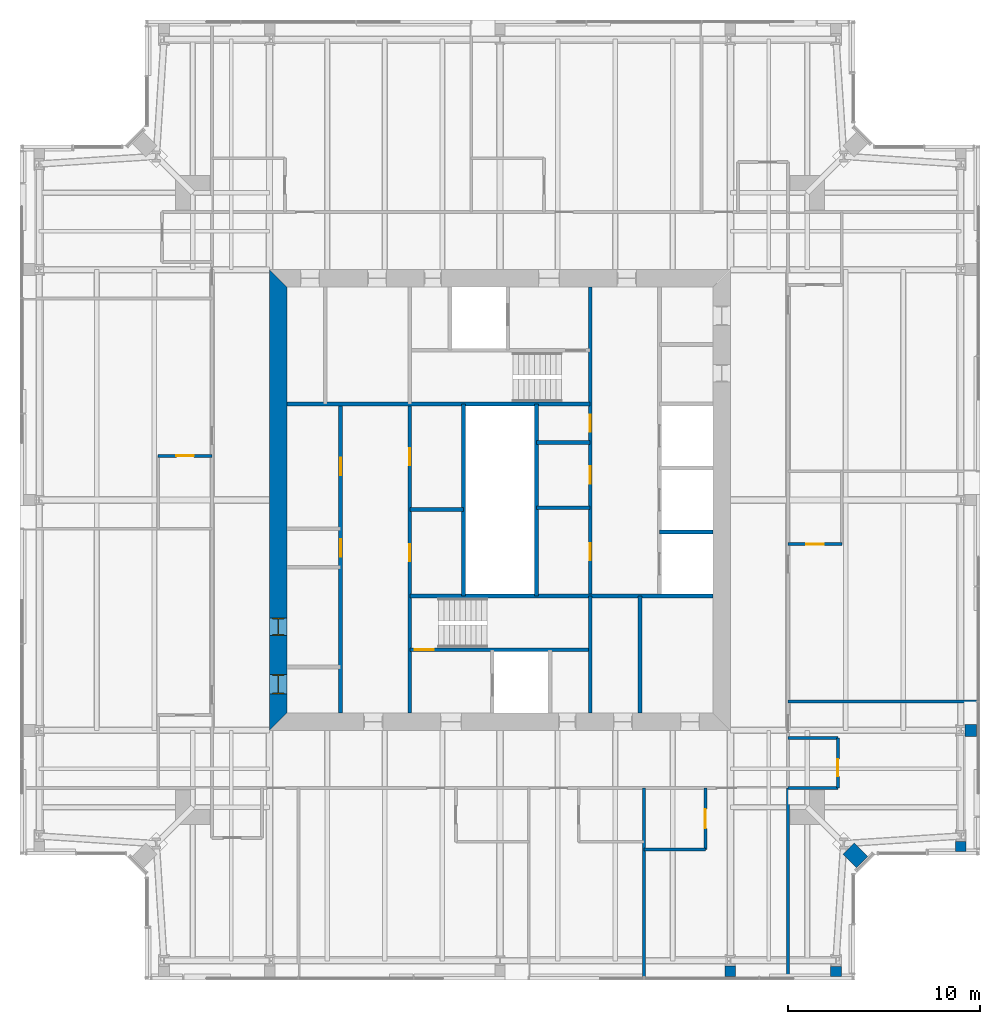
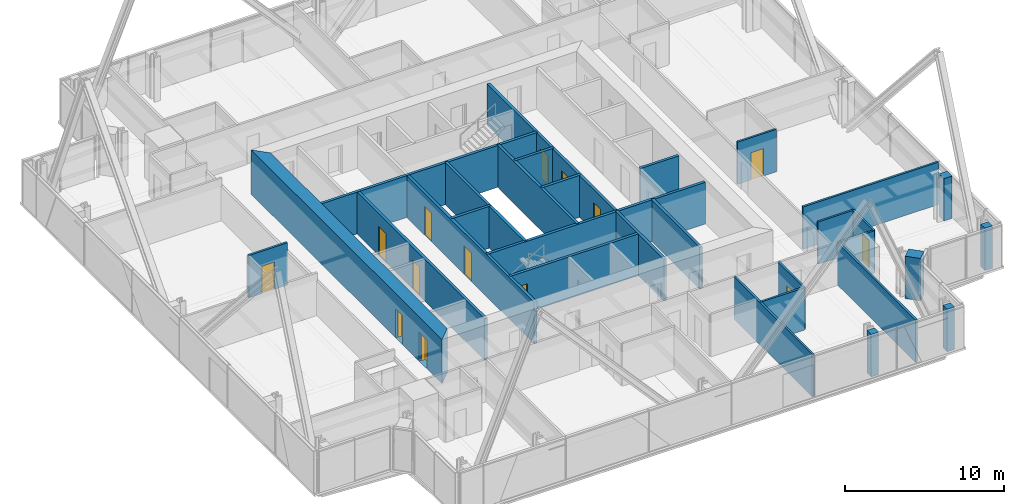
# One storey, part 12 of 19: 30 walls, 14 doors, 14 openings.
"""IFC4 building model written with IfcOpenShell, lengths in metres."""

from ifc_helpers import new_model, si_unit, direction, frame, frame_2d, origin, place, context, subcontext, project, spatial, polyline, rectangle, outline, extrude, material, layer, layer_set, type_object, element, fill, save


model = new_model("IFC4")

# Units and contexts
model_context = context("Model", 3, precision=1e-05, world=origin(), true_north=direction((0.0, 1.0)))
body_context = subcontext(model_context, "Body", "Model", "MODEL_VIEW")
ifc_project = project(units=[si_unit("LENGTHUNIT", "METRE"), si_unit("AREAUNIT", "SQUARE_METRE"), si_unit("VOLUMEUNIT", "CUBIC_METRE"), si_unit("PLANEANGLEUNIT", "RADIAN"), si_unit("MASSUNIT", "GRAM", prefix="KILO")], contexts=[model_context])

# Site, building, storey
site_placement = place(None, origin())
site = spatial("IfcSite", under=ifc_project, at=site_placement, CompositionType="ELEMENT")
building_placement = place(site_placement, origin())
building = spatial("IfcBuilding", under=site, at=building_placement, Name="Fenwick Lantern Interchange", CompositionType="ELEMENT")
storey_placement = place(building_placement, frame((0.0, 0.0, 283.199951171875)))
storey = spatial("IfcBuildingStorey", under=building, at=storey_placement, Name="L68", CompositionType="ELEMENT", Elevation=283.199951171875)

# Walls
ifc_material_1 = material(Name="Fire-rated gypsum board encasement on steel studs, 2 hour", Category="steel")
ifc_layer_1 = layer(ifc_material_1, 0.5419921875)
ifc_layer_set_1 = layer_set([ifc_layer_1], Name="COLUMN PIER 542")
wall_type_1 = type_object("IfcWallType", Name="COLUMN PIER 542", PredefinedType="PARTITIONING", material=ifc_layer_set_1)
wall_1_placement = place(storey_placement, frame((37.0, 0.18994140625, 0.0), z_axis=(0.0, 0.0, 1.0), x_axis=(0.0, 1.0, 0.0)))
element("IfcWall", 1, at=wall_1_placement, inside=storey, type_object=wall_type_1, Name="L68/W/PIER/CS4", PredefinedType="PARTITIONING", context=body_context, shape_type="SweptSolid", body=[
    extrude(rectangle(XDim=0.544677734375, YDim=0.5419921875, at=frame_2d((0.2724609375, 0.0))), origin(), (0.0, 0.0, 1.0), 3.25),
])
ifc_layer_2 = layer(ifc_material_1, 0.554931640625)
ifc_layer_set_2 = layer_set([ifc_layer_2], Name="COLUMN PIER 555")
wall_type_2 = type_object("IfcWallType", Name="COLUMN PIER 555", PredefinedType="PARTITIONING", material=ifc_layer_set_2)
for number, where, z_axis, x_axis, name in (
    (2, (42.5, 0.18994140625, 0.0), (0.0, 0.0, 1.0), (0.0, 1.0, 0.0), "L68/W/PIER/CS5"),
    (3, (49.0, 6.68994140625, 0.0), (0.0, 0.0, 1.0), (0.0, 1.0, 0.0), "L68/W/PIER/CE1"),
):
    element("IfcWall", number, at=place(storey_placement, frame(where, z_axis=z_axis, x_axis=x_axis)), inside=storey, type_object=wall_type_2, Name=name, PredefinedType="PARTITIONING", context=body_context, shape_type="SweptSolid", body=[
        extrude(rectangle(XDim=0.525634765625, YDim=0.554931640625, at=frame_2d((0.2626953125, 0.0))), origin(), (0.0, 0.0, 1.0), 3.25),
    ])
ifc_layer_3 = layer(ifc_material_1, 0.631103515625)
ifc_layer_set_3 = layer_set([ifc_layer_3], Name="COLUMN PIER 631")
wall_type_3 = type_object("IfcWallType", Name="COLUMN PIER 631", PredefinedType="PARTITIONING", material=ifc_layer_set_3)
wall_2_placement = place(storey_placement, frame((49.81005859375, 13.0, 0.0), z_axis=(0.0, 0.0, 1.0), x_axis=(-1.0, 0.0, 0.0)))
element("IfcWall", 4, at=wall_2_placement, inside=storey, type_object=wall_type_3, Name="L68/W/PIER/CE2", PredefinedType="PARTITIONING", context=body_context, shape_type="SweptSolid", body=[
    extrude(rectangle(XDim=0.589111328125, YDim=0.631103515625, at=frame_2d((0.29443359375, 0.0))), origin(), (0.0, 0.0, 1.0), 3.25),
])
ifc_layer_4 = layer(ifc_material_1, 0.823974609375)
ifc_layer_set_4 = layer_set([ifc_layer_4], Name="COLUMN PIER 824")
wall_type_4 = type_object("IfcWallType", Name="COLUMN PIER 824", PredefinedType="PARTITIONING", material=ifc_layer_set_4)
wall_3_placement = place(storey_placement, frame((43.86572265625, 6.13427734375, 0.0), z_axis=(0.0, 0.0, 1.0), x_axis=(-0.707106781187, 0.707106781187, 0.0)))
element("IfcWall", 5, at=wall_3_placement, inside=storey, type_object=wall_type_4, Name="L68/W/PIER/CSR", PredefinedType="PARTITIONING", context=body_context, shape_type="SweptSolid", body=[
    extrude(rectangle(XDim=1.003662109375, YDim=0.823974609375, at=frame_2d((0.501953125, 0.0))), origin(), (0.0, 0.0, 1.0), 3.25),
])

# Wall, openings, doors
ifc_material_2 = material(Name="Concrete masonry ASTM C90 Grade N", Category="masonry")
ifc_layer_5 = layer(ifc_material_2, 0.199951171875)
ifc_layer_set_5 = layer_set([ifc_layer_5], Name="Concrete masonry ASTM C90 Grade N")
wall_type_5 = type_object("IfcWallType", Name="CORE PARTITION 200", PredefinedType="PARTITIONING", material=ifc_layer_set_5)
wall_4_placement = place(storey_placement, frame((16.699951171875, 13.89990234375, 0.0), z_axis=(0.0, 0.0, 1.0), x_axis=(0.0, 1.0, 0.0)))
wall_4 = element("IfcWall", 6, at=wall_4_placement, inside=storey, type_object=wall_type_5, Name="L68/W/CORES/a", PredefinedType="PARTITIONING", context=body_context, shape_type="SweptSolid", body=[
    extrude(rectangle(XDim=16.10009765625, YDim=0.199951171875, at=frame_2d((8.050048828125, 0.0))), origin(), (0.0, 0.0, 1.0), 3.199951171875),
])
opening_1_placement = place(wall_4_placement, frame((8.14990234375, 0.0, 0.0)))
opening_1 = element("IfcOpeningElement", 7, at=opening_1_placement, cuts=wall_4, Name="Opening L68-D009", PredefinedType="OPENING", context=body_context, shape_type="SweptSolid", body=[
    extrude(rectangle(XDim=0.89990234375, YDim=2.199951171875, at=frame_2d((0.449951171875, 1.10009765625))), frame((0.0, 0.10986328125, 0.0), z_axis=(0.0, -1.0, 0.0), x_axis=(1.0, 0.0, 0.0)), (0.0, 0.0, 1.0), 0.219970703125),
])
opening_2_placement = place(wall_4_placement, frame((12.39990234375, 0.0, 0.0)))
opening_2 = element("IfcOpeningElement", 8, at=opening_2_placement, cuts=wall_4, Name="Opening L68-D010", PredefinedType="OPENING", context=body_context, shape_type="SweptSolid", body=[
    extrude(rectangle(XDim=0.89990234375, YDim=2.199951171875, at=frame_2d((0.449951171875, 1.10009765625))), frame((0.0, 0.10986328125, 0.0), z_axis=(0.0, -1.0, 0.0), x_axis=(1.0, 0.0, 0.0)), (0.0, 0.0, 1.0), 0.219970703125),
])
ifc_material_3 = material(Name="Steel door and frame", Category="steel")
door_type_1 = type_object("IfcDoorType", Name="SERVICE DOOR 900 X 2200", OperationType="SINGLE_SWING_LEFT", PredefinedType="DOOR", material=ifc_material_3)
door_1_placement = place(opening_1_placement, origin())
door_1 = element("IfcDoor", 9, at=door_1_placement, inside=storey, type_object=door_type_1, Name="Service door", OperationType="SINGLE_SWING_LEFT", OverallHeight=2.199951171875, OverallWidth=0.89990234375, PredefinedType="DOOR", context=body_context, shape_type="SweptSolid", body=[
    extrude(rectangle(XDim=0.89990234375, YDim=2.199951171875, at=frame_2d((0.449951171875, 1.10009765625))), frame((0.0, 0.02490234375, 0.0), z_axis=(0.0, -1.0, 0.0), x_axis=(1.0, 0.0, 0.0)), (0.0, 0.0, 1.0), 0.050048828125),
])
fill(opening_1, door_1)
door_2_placement = place(opening_2_placement, origin())
door_2 = element("IfcDoor", 10, at=door_2_placement, inside=storey, type_object=door_type_1, Name="Service door", OperationType="SINGLE_SWING_LEFT", OverallHeight=2.199951171875, OverallWidth=0.89990234375, PredefinedType="DOOR", context=body_context, shape_type="SweptSolid", body=[
    extrude(rectangle(XDim=0.89990234375, YDim=2.199951171875, at=frame_2d((0.449951171875, 1.10009765625))), frame((0.0, 0.02490234375, 0.0), z_axis=(0.0, -1.0, 0.0), x_axis=(1.0, 0.0, 0.0)), (0.0, 0.0, 1.0), 0.050048828125),
])
fill(opening_2, door_2)

# Walls
wall_5_placement = place(storey_placement, frame((23.10009765625, 20.0, 0.0), z_axis=(0.0, 0.0, 1.0), x_axis=(0.0, 1.0, 0.0)))
element("IfcWall", 11, at=wall_5_placement, inside=storey, type_object=wall_type_5, Name="L68/W/CORES/e3", PredefinedType="PARTITIONING", context=body_context, shape_type="SweptSolid", body=[
    extrude(rectangle(XDim=10.0, YDim=0.199951171875, at=frame_2d((5.0, 0.0))), origin(), (0.0, 0.0, 1.0), 3.199951171875),
])
wall_6_placement = place(storey_placement, frame((32.300048828125, 13.89990234375, 0.0), z_axis=(0.0, 0.0, 1.0), x_axis=(0.0, 1.0, 0.0)))
element("IfcWall", 12, at=wall_6_placement, inside=storey, type_object=wall_type_5, Name="L68/W/CORES/i2", PredefinedType="PARTITIONING", context=body_context, shape_type="SweptSolid", body=[
    extrude(rectangle(XDim=6.10009765625, YDim=0.199951171875, at=frame_2d((3.050048828125, 0.0))), origin(), (0.0, 0.0, 1.0), 3.199951171875),
])
for number, where, z_axis, x_axis, name in (
    (13, (20.300048828125, 24.5, 0.0), (0.0, 0.0, 1.0), (1.0, 0.0, 0.0), "L68/W/CORES/q1"),
    (14, (36.10009765625, 23.333251953125, 0.0), (0.0, 0.0, 1.0), (-1.0, 0.0, 0.0), "L68/W/COREN/d2"),
):
    element("IfcWall", number, at=place(storey_placement, frame(where, z_axis=z_axis, x_axis=x_axis)), inside=storey, type_object=wall_type_5, Name=name, PredefinedType="PARTITIONING", context=body_context, shape_type="SweptSolid", body=[
        extrude(rectangle(XDim=2.800048828125, YDim=0.199951171875, at=frame_2d((1.39990234375, 0.0))), origin(), (0.0, 0.0, 1.0), 3.199951171875),
    ])
wall_7_placement = place(storey_placement, frame((26.89990234375, 30.0, 0.0), z_axis=(0.0, 0.0, 1.0), x_axis=(0.0, -1.0, 0.0)))
element("IfcWall", 15, at=wall_7_placement, inside=storey, type_object=wall_type_5, Name="L68/W/COREN/e3", PredefinedType="PARTITIONING", context=body_context, shape_type="SweptSolid", body=[
    extrude(rectangle(XDim=10.0, YDim=0.199951171875, at=frame_2d((5.0, 0.0))), origin(), (0.0, 0.0, 1.0), 3.199951171875),
])
for number, where, z_axis, x_axis, name in (
    (16, (29.699951171875, 28.0, 0.0), (0.0, 0.0, 1.0), (-1.0, 0.0, 0.0), "L68/W/COREN/q1"),
    (17, (29.699951171875, 24.60009765625, 0.0), (0.0, 0.0, 1.0), (-1.0, 0.0, 0.0), "L68/W/COREN/q2"),
):
    element("IfcWall", number, at=place(storey_placement, frame(where, z_axis=z_axis, x_axis=x_axis)), inside=storey, type_object=wall_type_5, Name=name, PredefinedType="PARTITIONING", context=body_context, shape_type="SweptSolid", body=[
        extrude(rectangle(XDim=2.800048828125, YDim=0.199951171875, at=frame_2d((1.39990234375, 0.0))), origin(), (0.0, 0.0, 1.0), 3.199951171875),
    ])

# Wall, openings, doors
ifc_material_4 = material(Name="Concrete f'c 70 MPa", Category="concrete")
ifc_layer_6 = layer(ifc_material_4, 0.89990234375)
ifc_layer_set_6 = layer_set([ifc_layer_6], Name="CORE WALL 900")
wall_type_6 = type_object("IfcWallType", Name="CORE WALL 900", PredefinedType="SHEAR", material=ifc_layer_set_6)
wall_8_placement = place(storey_placement, frame((13.449951171875, 36.10009765625, 0.0), z_axis=(0.0, 0.0, 1.0), x_axis=(0.0, -1.0, 0.0)))
wall_8 = element("IfcWall", 18, at=wall_8_placement, inside=storey, type_object=wall_type_6, Name="L68/CORE/W", PredefinedType="SHEAR", context=body_context, shape_type="SweptSolid", body=[
    extrude(outline(polyline([(-0.89990234375, -0.449951171875), (23.10009765625, -0.449951171875), (22.199951171875, 0.449951171875), (0.0, 0.449951171875), (-0.89990234375, -0.449951171875)])), origin(), (0.0, 0.0, 1.0), 3.400146484375),
])
opening_3_placement = place(wall_8_placement, frame((20.199951171875, 0.0, 0.0)))
opening_3 = element("IfcOpeningElement", 19, at=opening_3_placement, cuts=wall_8, Name="Opening L68-D007", PredefinedType="OPENING", context=body_context, shape_type="SweptSolid", body=[
    extrude(rectangle(XDim=1.0, YDim=2.199951171875, at=frame_2d((0.5, 1.10009765625))), frame((0.0, 0.4599609375, 0.0), z_axis=(0.0, -1.0, 0.0), x_axis=(1.0, 0.0, 0.0)), (0.0, 0.0, 1.0), 0.919921875),
])
opening_4_placement = place(wall_8_placement, frame((17.25, 0.0, 0.0)))
opening_4 = element("IfcOpeningElement", 20, at=opening_4_placement, cuts=wall_8, Name="Opening L68-D008", PredefinedType="OPENING", context=body_context, shape_type="SweptSolid", body=[
    extrude(rectangle(XDim=0.89990234375, YDim=2.199951171875, at=frame_2d((0.449951171875, 1.10009765625))), frame((0.0, 0.4599609375, 0.0), z_axis=(0.0, -1.0, 0.0), x_axis=(1.0, 0.0, 0.0)), (0.0, 0.0, 1.0), 0.919921875),
])
door_3_placement = place(opening_4_placement, origin())
door_3 = element("IfcDoor", 21, at=door_3_placement, inside=storey, type_object=door_type_1, Name="Service door", OperationType="SINGLE_SWING_RIGHT", OverallHeight=2.199951171875, OverallWidth=0.89990234375, PredefinedType="DOOR", context=body_context, shape_type="SweptSolid", body=[
    extrude(rectangle(XDim=0.89990234375, YDim=2.199951171875, at=frame_2d((0.449951171875, 1.10009765625))), frame((0.0, 0.02490234375, 0.0), z_axis=(0.0, -1.0, 0.0), x_axis=(1.0, 0.0, 0.0)), (0.0, 0.0, 1.0), 0.050048828125),
    extrude(outline(polyline([(0.0, 0.0), (0.0400390625, 0.0), (0.0400390625, 2.159912109375), (0.85986328125, 2.159912109375), (0.85986328125, 0.0), (0.89990234375, 0.0), (0.89990234375, 2.199951171875), (0.0, 2.199951171875), (0.0, 0.0)])), frame((0.0, 0.300048828125, 0.0), z_axis=(0.0, -1.0, 0.0), x_axis=(1.0, 0.0, 0.0)), (0.0, 0.0, 1.0), 0.60009765625),
])
fill(opening_4, door_3)
ifc_material_5 = material(Name="Hardwood door and steel frame", Category="steel")
door_type_2 = type_object("IfcDoorType", Name="WC DOOR 1000 X 2200", OperationType="SINGLE_SWING_LEFT", PredefinedType="DOOR", material=ifc_material_5)
door_4_placement = place(opening_3_placement, origin())
door_4 = element("IfcDoor", 22, at=door_4_placement, inside=storey, type_object=door_type_2, Name="Wc door", OperationType="SINGLE_SWING_LEFT", OverallHeight=2.199951171875, OverallWidth=1.0, PredefinedType="DOOR", context=body_context, shape_type="SweptSolid", body=[
    extrude(rectangle(XDim=1.0, YDim=2.199951171875, at=frame_2d((0.5, 1.10009765625))), frame((0.0, 0.02490234375, 0.0), z_axis=(0.0, -1.0, 0.0), x_axis=(1.0, 0.0, 0.0)), (0.0, 0.0, 1.0), 0.050048828125),
    extrude(outline(polyline([(0.0, 0.0), (0.0400390625, 0.0), (0.0400390625, 2.159912109375), (0.9599609375, 2.159912109375), (0.9599609375, 0.0), (1.0, 0.0), (1.0, 2.199951171875), (0.0, 2.199951171875), (0.0, 0.0)])), frame((0.0, 0.300048828125, 0.0), z_axis=(0.0, -1.0, 0.0), x_axis=(1.0, 0.0, 0.0)), (0.0, 0.0, 1.0), 0.60009765625),
])
fill(opening_3, door_4)

# Wall
ifc_material_6 = material(Name="Gypsum board on steel studs, moisture resistant", Category="steel")
ifc_layer_7 = layer(ifc_material_6, 0.14990234375)
ifc_layer_set_7 = layer_set([ifc_layer_7], Name="EN-SUITE WALL 150")
wall_type_7 = type_object("IfcWallType", Name="EN-SUITE WALL 150", PredefinedType="PARTITIONING", material=ifc_layer_set_7)
wall_9_placement = place(storey_placement, frame((32.5, 6.800048828125, 0.0), z_axis=(0.0, 0.0, 1.0), x_axis=(1.0, 0.0, 0.0)))
element("IfcWall", 23, at=wall_9_placement, inside=storey, type_object=wall_type_7, Name="L68/W/HOTEL/S/U4BW", PredefinedType="PARTITIONING", context=body_context, shape_type="SweptSolid", body=[
    extrude(rectangle(XDim=3.199951171875, YDim=0.14990234375, at=frame_2d((1.60009765625, 0.0))), origin(), (0.0, 0.0, 1.0), 3.25),
])

# Wall, opening, door
wall_10_placement = place(storey_placement, frame((35.699951171875, 6.800048828125, 0.0), z_axis=(0.0, 0.0, 1.0), x_axis=(0.0, 1.0, 0.0)))
wall_10 = element("IfcWall", 24, at=wall_10_placement, inside=storey, type_object=wall_type_7, Name="L68/W/HOTEL/S/U4BX", PredefinedType="PARTITIONING", context=body_context, shape_type="SweptSolid", body=[
    extrude(rectangle(XDim=3.199951171875, YDim=0.14990234375, at=frame_2d((1.60009765625, 0.0))), origin(), (0.0, 0.0, 1.0), 3.25),
])
opening_5_placement = place(wall_10_placement, frame((1.10009765625, 0.0, 0.0)))
opening_5 = element("IfcOpeningElement", 25, at=opening_5_placement, cuts=wall_10, Name="Opening L68-D030", PredefinedType="OPENING", context=body_context, shape_type="SweptSolid", body=[
    extrude(rectangle(XDim=1.0, YDim=2.10009765625, at=frame_2d((0.5, 1.050048828125))), frame((0.0, 0.0849609375, 0.0), z_axis=(0.0, -1.0, 0.0), x_axis=(1.0, 0.0, 0.0)), (0.0, 0.0, 1.0), 0.169921875),
])
door_type_3 = type_object("IfcDoorType", Name="EN-SUITE DOOR 1000 X 2100", OperationType="SINGLE_SWING_LEFT", PredefinedType="DOOR", material=ifc_material_5)
door_5_placement = place(opening_5_placement, origin())
door_5 = element("IfcDoor", 26, at=door_5_placement, inside=storey, type_object=door_type_3, Name="En-suite door", OperationType="SINGLE_SWING_LEFT", OverallHeight=2.10009765625, OverallWidth=1.0, PredefinedType="DOOR", context=body_context, shape_type="SweptSolid", body=[
    extrude(rectangle(XDim=1.0, YDim=2.10009765625, at=frame_2d((0.5, 1.050048828125))), frame((0.0, 0.02490234375, 0.0), z_axis=(0.0, -1.0, 0.0), x_axis=(1.0, 0.0, 0.0)), (0.0, 0.0, 1.0), 0.050048828125),
])
fill(opening_5, door_5)

wall_11_placement = place(storey_placement, frame((42.60009765625, 10.0, 0.0), z_axis=(0.0, 0.0, 1.0), x_axis=(0.0, 1.0, 0.0)))
wall_11 = element("IfcWall", 27, at=wall_11_placement, inside=storey, type_object=wall_type_7, Name="L68/W/HOTEL/E/U1BW", PredefinedType="PARTITIONING", context=body_context, shape_type="SweptSolid", body=[
    extrude(rectangle(XDim=2.60009765625, YDim=0.14990234375, at=frame_2d((1.300048828125, 0.0))), origin(), (0.0, 0.0, 1.0), 3.25),
])
opening_6_placement = place(wall_11_placement, frame((0.60009765625, 0.0, 0.0)))
opening_6 = element("IfcOpeningElement", 28, at=opening_6_placement, cuts=wall_11, Name="Opening L68-D033", PredefinedType="OPENING", context=body_context, shape_type="SweptSolid", body=[
    extrude(rectangle(XDim=0.89990234375, YDim=2.10009765625, at=frame_2d((0.449951171875, 1.050048828125))), frame((0.0, 0.0849609375, 0.0), z_axis=(0.0, -1.0, 0.0), x_axis=(1.0, 0.0, 0.0)), (0.0, 0.0, 1.0), 0.169921875),
])
door_type_4 = type_object("IfcDoorType", Name="EN-SUITE DOOR 900 X 2100", OperationType="SINGLE_SWING_LEFT", PredefinedType="DOOR", material=ifc_material_5)
door_6_placement = place(opening_6_placement, origin())
door_6 = element("IfcDoor", 29, at=door_6_placement, inside=storey, type_object=door_type_4, Name="En-suite door", OperationType="SINGLE_SWING_LEFT", OverallHeight=2.10009765625, OverallWidth=0.89990234375, PredefinedType="DOOR", context=body_context, shape_type="SweptSolid", body=[
    extrude(rectangle(XDim=0.89990234375, YDim=2.10009765625, at=frame_2d((0.449951171875, 1.050048828125))), frame((0.0, 0.02490234375, 0.0), z_axis=(0.0, -1.0, 0.0), x_axis=(1.0, 0.0, 0.0)), (0.0, 0.0, 1.0), 0.050048828125),
])
fill(opening_6, door_6)

# Walls
for number, where, z_axis, x_axis, name in (
    (30, (42.60009765625, 10.0, 0.0), (0.0, 0.0, 1.0), (-1.0, 0.0, 0.0), "L68/W/HOTEL/E/U1BX"),
    (31, (42.60009765625, 12.60009765625, 0.0), (0.0, 0.0, 1.0), (-1.0, 0.0, 0.0), "L68/W/HOTEL/E/U1BE"),
):
    element("IfcWall", number, at=place(storey_placement, frame(where, z_axis=z_axis, x_axis=x_axis)), inside=storey, type_object=wall_type_7, Name=name, PredefinedType="PARTITIONING", context=body_context, shape_type="SweptSolid", body=[
        extrude(rectangle(XDim=2.60009765625, YDim=0.14990234375, at=frame_2d((1.300048828125, 0.0))), origin(), (0.0, 0.0, 1.0), 3.25),
    ])

# Wall, opening, door
wall_12_placement = place(storey_placement, frame((42.800048828125, 22.699951171875, 0.0), z_axis=(0.0, 0.0, 1.0), x_axis=(-1.0, 0.0, 0.0)))
wall_12 = element("IfcWall", 32, at=wall_12_placement, inside=storey, type_object=wall_type_7, Name="L68/W/HOTEL/E/U2BX", PredefinedType="PARTITIONING", context=body_context, shape_type="SweptSolid", body=[
    extrude(rectangle(XDim=2.800048828125, YDim=0.14990234375, at=frame_2d((1.39990234375, 0.0))), origin(), (0.0, 0.0, 1.0), 3.25),
])
opening_7_placement = place(wall_12_placement, frame((0.949951171875, 0.0, 0.0)))
opening_7 = element("IfcOpeningElement", 33, at=opening_7_placement, cuts=wall_12, Name="Opening L68-D034", PredefinedType="OPENING", context=body_context, shape_type="SweptSolid", body=[
    extrude(rectangle(XDim=0.89990234375, YDim=2.10009765625, at=frame_2d((0.449951171875, 1.050048828125))), frame((0.0, 0.0849609375, 0.0), z_axis=(0.0, -1.0, 0.0), x_axis=(1.0, 0.0, 0.0)), (0.0, 0.0, 1.0), 0.169921875),
])
door_7_placement = place(opening_7_placement, frame((0.89990234375, 0.0, 0.0), z_axis=(0.0, 0.0, 1.0), x_axis=(-1.0, 0.0, 0.0)))
door_7 = element("IfcDoor", 34, at=door_7_placement, inside=storey, type_object=door_type_4, Name="En-suite door", OperationType="SINGLE_SWING_RIGHT", OverallHeight=2.10009765625, OverallWidth=0.89990234375, PredefinedType="DOOR", context=body_context, shape_type="SweptSolid", body=[
    extrude(rectangle(XDim=0.89990234375, YDim=2.10009765625, at=frame_2d((0.449951171875, 1.050048828125))), frame((0.0, 0.02490234375, 0.0), z_axis=(0.0, -1.0, 0.0), x_axis=(1.0, 0.0, 0.0)), (0.0, 0.0, 1.0), 0.050048828125),
])
fill(opening_7, door_7)

wall_13_placement = place(storey_placement, frame((7.199951171875, 27.300048828125, 0.0), z_axis=(0.0, 0.0, 1.0), x_axis=(1.0, 0.0, 0.0)))
wall_13 = element("IfcWall", 35, at=wall_13_placement, inside=storey, type_object=wall_type_7, Name="L68/W/HOTEL/W/U2BX", PredefinedType="PARTITIONING", context=body_context, shape_type="SweptSolid", body=[
    extrude(rectangle(XDim=2.800048828125, YDim=0.14990234375, at=frame_2d((1.39990234375, 0.0))), origin(), (0.0, 0.0, 1.0), 3.25),
])
opening_8_placement = place(wall_13_placement, frame((0.949951171875, 0.0, 0.0)))
opening_8 = element("IfcOpeningElement", 36, at=opening_8_placement, cuts=wall_13, Name="Opening L68-D046", PredefinedType="OPENING", context=body_context, shape_type="SweptSolid", body=[
    extrude(rectangle(XDim=0.89990234375, YDim=2.10009765625, at=frame_2d((0.449951171875, 1.050048828125))), frame((0.0, 0.0849609375, 0.0), z_axis=(0.0, -1.0, 0.0), x_axis=(1.0, 0.0, 0.0)), (0.0, 0.0, 1.0), 0.169921875),
])
door_8_placement = place(opening_8_placement, frame((0.89990234375, 0.0, 0.0), z_axis=(0.0, 0.0, 1.0), x_axis=(-1.0, 0.0, 0.0)))
door_8 = element("IfcDoor", 37, at=door_8_placement, inside=storey, type_object=door_type_4, Name="En-suite door", OperationType="SINGLE_SWING_RIGHT", OverallHeight=2.10009765625, OverallWidth=0.89990234375, PredefinedType="DOOR", context=body_context, shape_type="SweptSolid", body=[
    extrude(rectangle(XDim=0.89990234375, YDim=2.10009765625, at=frame_2d((0.449951171875, 1.050048828125))), frame((0.0, 0.02490234375, 0.0), z_axis=(0.0, -1.0, 0.0), x_axis=(1.0, 0.0, 0.0)), (0.0, 0.0, 1.0), 0.050048828125),
])
fill(opening_8, door_8)

# Walls
ifc_material_7 = material(Name="Gypsum board on steel studs, 1 hour acoustic", Category="steel")
ifc_layer_8 = layer(ifc_material_7, 0.14990234375)
ifc_layer_set_8 = layer_set([ifc_layer_8], Name="PARTY WALL 150")
wall_type_8 = type_object("IfcWallType", Name="PARTY WALL 150", PredefinedType="PARTITIONING", material=ifc_layer_set_8)
for number, where, z_axis, x_axis, name in (
    (38, (32.5, 0.14990234375, 0.0), (0.0, 0.0, 1.0), (0.0, 1.0, 0.0), "L68/W/HOTEL/S/U4PW"),
    (39, (40.0, 0.14990234375, 0.0), (0.0, 0.0, 1.0), (0.0, 1.0, 0.0), "L68/W/HOTEL/E/SW3"),
    (40, (49.85009765625, 14.5, 0.0), (0.0, 0.0, 1.0), (-1.0, 0.0, 0.0), "L68/W/HOTEL/E/U2PW"),
):
    element("IfcWall", number, at=place(storey_placement, frame(where, z_axis=z_axis, x_axis=x_axis)), inside=storey, type_object=wall_type_8, Name=name, PredefinedType="PARTITIONING", context=body_context, shape_type="SweptSolid", body=[
        extrude(rectangle(XDim=9.85009765625, YDim=0.14990234375, at=frame_2d((4.925048828125, 0.0))), origin(), (0.0, 0.0, 1.0), 3.25),
    ])

# Wall, openings, doors
ifc_material_8 = material(Name="Concrete f'c 45 MPa", Category="concrete")
ifc_layer_9 = layer(ifc_material_8, 0.199951171875)
ifc_layer_set_9 = layer_set([ifc_layer_9], Name="STAIR CORE WALL 200")
wall_type_9 = type_object("IfcWallType", Name="STAIR CORE WALL 200", PredefinedType="SOLIDWALL", material=ifc_layer_set_9)
wall_14_placement = place(storey_placement, frame((20.300048828125, 13.89990234375, 0.0), z_axis=(0.0, 0.0, 1.0), x_axis=(0.0, 1.0, 0.0)))
wall_14 = element("IfcWall", 41, at=wall_14_placement, inside=storey, type_object=wall_type_9, Name="L68/W/CORES/b", PredefinedType="SOLIDWALL", context=body_context, shape_type="SweptSolid", body=[
    extrude(rectangle(XDim=16.10009765625, YDim=0.199951171875, at=frame_2d((8.050048828125, 0.0))), origin(), (0.0, 0.0, 1.0), 3.199951171875),
])
opening_9_placement = place(wall_14_placement, frame((7.89990234375, 0.0, 0.0)))
opening_9 = element("IfcOpeningElement", 42, at=opening_9_placement, cuts=wall_14, Name="Opening L68-D011", PredefinedType="OPENING", context=body_context, shape_type="SweptSolid", body=[
    extrude(rectangle(XDim=0.89990234375, YDim=2.199951171875, at=frame_2d((0.449951171875, 1.10009765625))), frame((0.0, 0.10986328125, 0.0), z_axis=(0.0, -1.0, 0.0), x_axis=(1.0, 0.0, 0.0)), (0.0, 0.0, 1.0), 0.219970703125),
])
opening_10_placement = place(wall_14_placement, frame((12.89990234375, 0.0, 0.0)))
opening_10 = element("IfcOpeningElement", 43, at=opening_10_placement, cuts=wall_14, Name="Opening L68-D012", PredefinedType="OPENING", context=body_context, shape_type="SweptSolid", body=[
    extrude(rectangle(XDim=0.89990234375, YDim=2.199951171875, at=frame_2d((0.449951171875, 1.10009765625))), frame((0.0, 0.10986328125, 0.0), z_axis=(0.0, -1.0, 0.0), x_axis=(1.0, 0.0, 0.0)), (0.0, 0.0, 1.0), 0.219970703125),
])
door_9_placement = place(opening_9_placement, frame((0.89990234375, 0.0, 0.0), z_axis=(0.0, 0.0, 1.0), x_axis=(-1.0, 0.0, 0.0)))
door_9 = element("IfcDoor", 44, at=door_9_placement, inside=storey, type_object=door_type_1, Name="Service door", OperationType="SINGLE_SWING_RIGHT", OverallHeight=2.199951171875, OverallWidth=0.89990234375, PredefinedType="DOOR", context=body_context, shape_type="SweptSolid", body=[
    extrude(rectangle(XDim=0.89990234375, YDim=2.199951171875, at=frame_2d((0.449951171875, 1.10009765625))), frame((0.0, 0.02490234375, 0.0), z_axis=(0.0, -1.0, 0.0), x_axis=(1.0, 0.0, 0.0)), (0.0, 0.0, 1.0), 0.050048828125),
])
fill(opening_9, door_9)
door_10_placement = place(opening_10_placement, frame((0.89990234375, 0.0, 0.0), z_axis=(0.0, 0.0, 1.0), x_axis=(-1.0, 0.0, 0.0)))
door_10 = element("IfcDoor", 45, at=door_10_placement, inside=storey, type_object=door_type_1, Name="Service door", OperationType="SINGLE_SWING_RIGHT", OverallHeight=2.199951171875, OverallWidth=0.89990234375, PredefinedType="DOOR", context=body_context, shape_type="SweptSolid", body=[
    extrude(rectangle(XDim=0.89990234375, YDim=2.199951171875, at=frame_2d((0.449951171875, 1.10009765625))), frame((0.0, 0.02490234375, 0.0), z_axis=(0.0, -1.0, 0.0), x_axis=(1.0, 0.0, 0.0)), (0.0, 0.0, 1.0), 0.050048828125),
])
fill(opening_10, door_10)

# Wall, opening, door
wall_15_placement = place(storey_placement, frame((20.300048828125, 17.199951171875, 0.0), z_axis=(0.0, 0.0, 1.0), x_axis=(1.0, 0.0, 0.0)))
wall_15 = element("IfcWall", 46, at=wall_15_placement, inside=storey, type_object=wall_type_9, Name="L68/W/CORES/g1", PredefinedType="SOLIDWALL", context=body_context, shape_type="SweptSolid", body=[
    extrude(rectangle(XDim=9.39990234375, YDim=0.199951171875, at=frame_2d((4.699951171875, 0.0))), origin(), (0.0, 0.0, 1.0), 3.199951171875),
])
opening_11_placement = place(wall_15_placement, frame((0.25, 0.0, 0.0)))
opening_11 = element("IfcOpeningElement", 47, at=opening_11_placement, cuts=wall_15, Name="Opening L68-D003", PredefinedType="OPENING", context=body_context, shape_type="SweptSolid", body=[
    extrude(rectangle(XDim=1.0, YDim=2.199951171875, at=frame_2d((0.5, 1.10009765625))), frame((0.0, 0.10986328125, 0.0), z_axis=(0.0, -1.0, 0.0), x_axis=(1.0, 0.0, 0.0)), (0.0, 0.0, 1.0), 0.219970703125),
])
door_type_5 = type_object("IfcDoorType", Name="STAIR DOOR 1000 X 2200", OperationType="SINGLE_SWING_LEFT", PredefinedType="DOOR", material=ifc_material_3)
door_11_placement = place(opening_11_placement, origin())
door_11 = element("IfcDoor", 48, at=door_11_placement, inside=storey, type_object=door_type_5, Name="Stair door", OperationType="SINGLE_SWING_LEFT", OverallHeight=2.199951171875, OverallWidth=1.0, PredefinedType="DOOR", context=body_context, shape_type="SweptSolid", body=[
    extrude(rectangle(XDim=1.0, YDim=2.199951171875, at=frame_2d((0.5, 1.10009765625))), frame((0.0, 0.02490234375, 0.0), z_axis=(0.0, -1.0, 0.0), x_axis=(1.0, 0.0, 0.0)), (0.0, 0.0, 1.0), 0.050048828125),
])
fill(opening_11, door_11)

# Walls
wall_16_placement = place(storey_placement, frame((20.300048828125, 20.0, 0.0), z_axis=(0.0, 0.0, 1.0), x_axis=(1.0, 0.0, 0.0)))
element("IfcWall", 49, at=wall_16_placement, inside=storey, type_object=wall_type_9, Name="L68/W/CORES/g2", PredefinedType="SOLIDWALL", context=body_context, shape_type="SweptSolid", body=[
    extrude(rectangle(XDim=15.800048828125, YDim=0.199951171875, at=frame_2d((7.89990234375, 0.0))), origin(), (0.0, 0.0, 1.0), 3.199951171875),
])
wall_17_placement = place(storey_placement, frame((29.699951171875, 13.89990234375, 0.0), z_axis=(0.0, 0.0, 1.0), x_axis=(0.0, 1.0, 0.0)))
element("IfcWall", 50, at=wall_17_placement, inside=storey, type_object=wall_type_9, Name="L68/W/CORES/i1", PredefinedType="SOLIDWALL", context=body_context, shape_type="SweptSolid", body=[
    extrude(rectangle(XDim=6.10009765625, YDim=0.199951171875, at=frame_2d((3.050048828125, 0.0))), origin(), (0.0, 0.0, 1.0), 3.199951171875),
])

# Wall, openings, doors
wall_18_placement = place(storey_placement, frame((29.699951171875, 36.10009765625, 0.0), z_axis=(0.0, 0.0, 1.0), x_axis=(0.0, -1.0, 0.0)))
wall_18 = element("IfcWall", 51, at=wall_18_placement, inside=storey, type_object=wall_type_9, Name="L68/W/COREN/b", PredefinedType="SOLIDWALL", context=body_context, shape_type="SweptSolid", body=[
    extrude(rectangle(XDim=16.10009765625, YDim=0.199951171875, at=frame_2d((8.050048828125, 0.0))), origin(), (0.0, 0.0, 1.0), 3.199951171875),
])
opening_12_placement = place(wall_18_placement, frame((6.64990234375, 0.0, 0.0)))
opening_12 = element("IfcOpeningElement", 52, at=opening_12_placement, cuts=wall_18, Name="Opening L68-D021", PredefinedType="OPENING", context=body_context, shape_type="SweptSolid", body=[
    extrude(rectangle(XDim=0.89990234375, YDim=2.199951171875, at=frame_2d((0.449951171875, 1.10009765625))), frame((0.0, 0.10986328125, 0.0), z_axis=(0.0, -1.0, 0.0), x_axis=(1.0, 0.0, 0.0)), (0.0, 0.0, 1.0), 0.219970703125),
])
opening_13_placement = place(wall_18_placement, frame((9.35009765625, 0.0, 0.0)))
opening_13 = element("IfcOpeningElement", 53, at=opening_13_placement, cuts=wall_18, Name="Opening L68-D022", PredefinedType="OPENING", context=body_context, shape_type="SweptSolid", body=[
    extrude(rectangle(XDim=0.89990234375, YDim=2.199951171875, at=frame_2d((0.449951171875, 1.10009765625))), frame((0.0, 0.10986328125, 0.0), z_axis=(0.0, -1.0, 0.0), x_axis=(1.0, 0.0, 0.0)), (0.0, 0.0, 1.0), 0.219970703125),
])
opening_14_placement = place(wall_18_placement, frame((13.35009765625, 0.0, 0.0)))
opening_14 = element("IfcOpeningElement", 54, at=opening_14_placement, cuts=wall_18, Name="Opening L68-D023", PredefinedType="OPENING", context=body_context, shape_type="SweptSolid", body=[
    extrude(rectangle(XDim=0.89990234375, YDim=2.199951171875, at=frame_2d((0.449951171875, 1.10009765625))), frame((0.0, 0.10986328125, 0.0), z_axis=(0.0, -1.0, 0.0), x_axis=(1.0, 0.0, 0.0)), (0.0, 0.0, 1.0), 0.219970703125),
])
door_12_placement = place(opening_12_placement, frame((0.89990234375, 0.0, 0.0), z_axis=(0.0, 0.0, 1.0), x_axis=(-1.0, 0.0, 0.0)))
door_12 = element("IfcDoor", 55, at=door_12_placement, inside=storey, type_object=door_type_1, Name="Service door", OperationType="SINGLE_SWING_RIGHT", OverallHeight=2.199951171875, OverallWidth=0.89990234375, PredefinedType="DOOR", context=body_context, shape_type="SweptSolid", body=[
    extrude(rectangle(XDim=0.89990234375, YDim=2.199951171875, at=frame_2d((0.449951171875, 1.10009765625))), frame((0.0, 0.02490234375, 0.0), z_axis=(0.0, -1.0, 0.0), x_axis=(1.0, 0.0, 0.0)), (0.0, 0.0, 1.0), 0.050048828125),
])
fill(opening_12, door_12)
door_13_placement = place(opening_13_placement, frame((0.89990234375, 0.0, 0.0), z_axis=(0.0, 0.0, 1.0), x_axis=(-1.0, 0.0, 0.0)))
door_13 = element("IfcDoor", 56, at=door_13_placement, inside=storey, type_object=door_type_1, Name="Service door", OperationType="SINGLE_SWING_RIGHT", OverallHeight=2.199951171875, OverallWidth=0.89990234375, PredefinedType="DOOR", context=body_context, shape_type="SweptSolid", body=[
    extrude(rectangle(XDim=0.89990234375, YDim=2.199951171875, at=frame_2d((0.449951171875, 1.10009765625))), frame((0.0, 0.02490234375, 0.0), z_axis=(0.0, -1.0, 0.0), x_axis=(1.0, 0.0, 0.0)), (0.0, 0.0, 1.0), 0.050048828125),
])
fill(opening_13, door_13)
door_14_placement = place(opening_14_placement, frame((0.89990234375, 0.0, 0.0), z_axis=(0.0, 0.0, 1.0), x_axis=(-1.0, 0.0, 0.0)))
door_14 = element("IfcDoor", 57, at=door_14_placement, inside=storey, type_object=door_type_1, Name="Service door", OperationType="SINGLE_SWING_RIGHT", OverallHeight=2.199951171875, OverallWidth=0.89990234375, PredefinedType="DOOR", context=body_context, shape_type="SweptSolid", body=[
    extrude(rectangle(XDim=0.89990234375, YDim=2.199951171875, at=frame_2d((0.449951171875, 1.10009765625))), frame((0.0, 0.02490234375, 0.0), z_axis=(0.0, -1.0, 0.0), x_axis=(1.0, 0.0, 0.0)), (0.0, 0.0, 1.0), 0.050048828125),
])
fill(opening_14, door_14)

# Wall
wall_19_placement = place(storey_placement, frame((29.699951171875, 30.0, 0.0), z_axis=(0.0, 0.0, 1.0), x_axis=(-1.0, 0.0, 0.0)))
element("IfcWall", 58, at=wall_19_placement, inside=storey, type_object=wall_type_9, Name="L68/W/COREN/g2", PredefinedType="SOLIDWALL", context=body_context, shape_type="SweptSolid", body=[
    extrude(rectangle(XDim=15.800048828125, YDim=0.199951171875, at=frame_2d((7.89990234375, 0.0))), origin(), (0.0, 0.0, 1.0), 3.199951171875),
])

save(model, "model.ifc")
